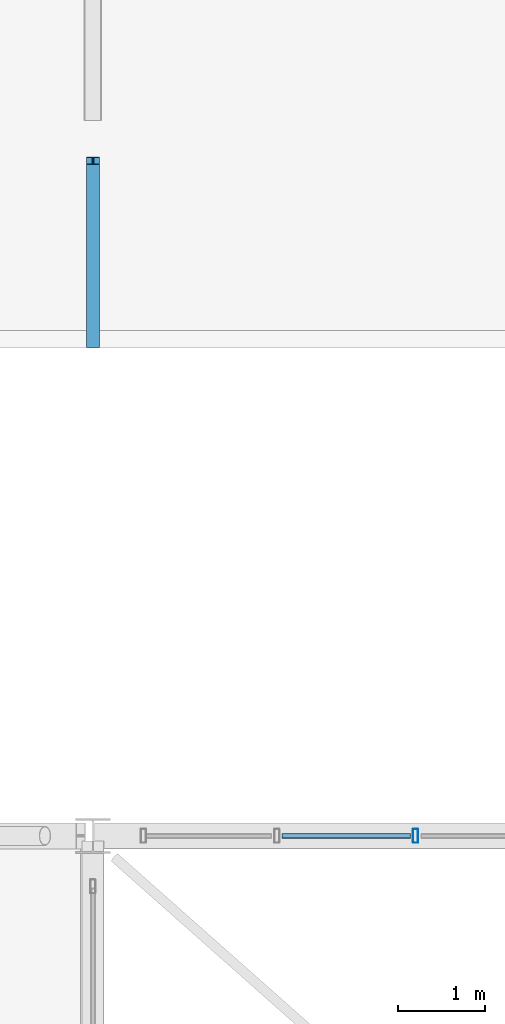
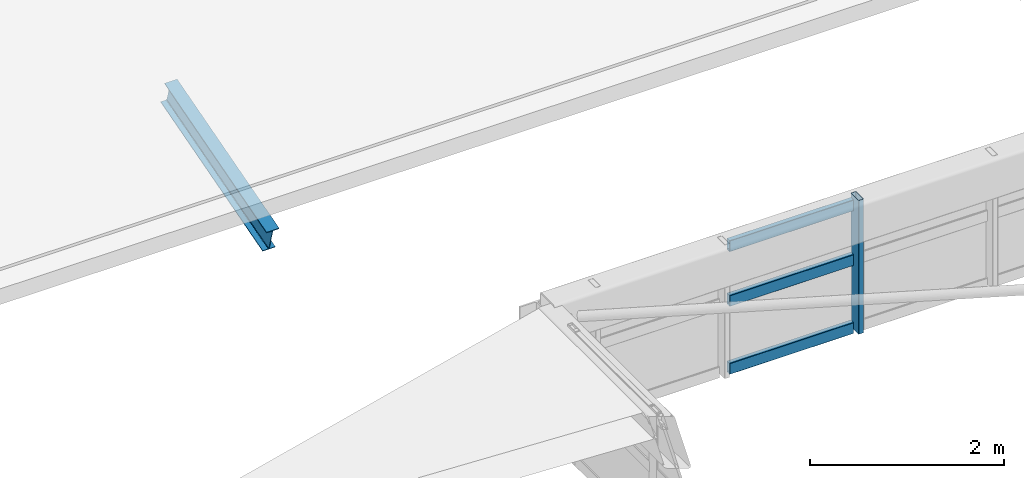
# One storey, part 46 of 128: 4 members, 1 beam, 1 element without a shape of its own.
"""IFC4 building model written with IfcOpenShell, lengths in metres."""

import ifcopenshell
import ifcopenshell.guid

model = None  # the IFC model being written
_history = None  # IfcOwnerHistory: only IFC2X3 demands one
_inside = {}  # id of a spatial element -> (the spatial element, [elements in it])
_under = {}  # id of a project, library or spatial element -> (it, [spatial elements below it])
_declared = {}  # id of a project -> (the project, [libraries it declares])
_typed = {}  # id of a type object -> (the type object, [elements of that type])
_made_of = {}  # id of a material, layer set ... -> (it, [elements and type objects made of it])


def new_model(schema):
    """Start an empty IFC model of exactly this schema.

    Asked for "IFC4X3", IfcOpenShell would pick the latest addendum, in which some entities
    have other attributes; the version numbers below select the first issue.
    IFC2X3 requires an IfcOwnerHistory on every rooted entity: one is made here for all.
    """
    global model, _history
    if schema == "IFC4X3":
        model = ifcopenshell.file(schema_version=(4, 3, 0, 0))
    else:
        model = ifcopenshell.file(schema=schema)
    _inside.clear()
    _under.clear()
    _declared.clear()
    _typed.clear()
    _made_of.clear()
    _history = None
    if model.schema == "IFC2X3":
        org = make("IfcOrganization", Name="unknown")
        user = make(
            "IfcPersonAndOrganization",
            ThePerson=make("IfcPerson", FamilyName="unknown"),
            TheOrganization=org,
        )
        app = make(
            "IfcApplication",
            ApplicationDeveloper=org,
            Version="unknown",
            ApplicationFullName="unknown",
            ApplicationIdentifier="unknown",
        )
        _history = make(
            "IfcOwnerHistory",
            OwningUser=user,
            OwningApplication=app,
            ChangeAction="ADDED",
            CreationDate=0,
        )
    return model


def make(cls, **values):
    """One entity of the class cls with the attributes given. An attribute that is None is left unset."""
    return model.create_entity(
        cls, **{name: value for name, value in values.items() if value is not None}
    )


def rooted(cls, **values):
    """An entity with a GlobalId (a new one), such as an element, a storey or a relation."""
    return make(cls, GlobalId=ifcopenshell.guid.new(), OwnerHistory=_history, **values)


def si_unit(unit_type, name, prefix=None):
    """IfcSIUnit, for example si_unit("LENGTHUNIT", "METRE", prefix="MILLI")."""
    return make("IfcSIUnit", UnitType=unit_type, Prefix=prefix, Name=name)


def derived_unit(unit_type, elements):
    """IfcDerivedUnit: a product of units, each with its exponent."""
    return make(
        "IfcDerivedUnit",
        Elements=[
            make("IfcDerivedUnitElement", Unit=unit, Exponent=power)
            for unit, power in elements
        ],
        UnitType=unit_type,
    )


def assignment(units):
    """IfcUnitAssignment: the units of a project."""
    return None if units is None else make("IfcUnitAssignment", Units=units)


def point(xyz):
    """IfcCartesianPoint."""
    return None if xyz is None else make("IfcCartesianPoint", Coordinates=xyz)


def direction(xyz):
    """IfcDirection."""
    return None if xyz is None else make("IfcDirection", DirectionRatios=xyz)


def frame(location, z_axis=None, x_axis=None):
    """IfcAxis2Placement3D, a coordinate frame: its origin and axes. An axis left out is left unset."""
    return make(
        "IfcAxis2Placement3D",
        Location=point(location),
        Axis=direction(z_axis),
        RefDirection=direction(x_axis),
    )


def frame_2d(location, x_axis=None):
    """IfcAxis2Placement2D, a coordinate frame in the plane: its origin and x axis."""
    return make(
        "IfcAxis2Placement2D", Location=point(location), RefDirection=direction(x_axis)
    )


def origin():
    """The frame at (0, 0, 0) with its axes left unset."""
    return frame((0.0, 0.0, 0.0))


def origin_2d():
    """The frame at (0, 0) in the plane with its x axis left unset."""
    return frame_2d((0.0, 0.0))


def place(relative_to, where):
    """IfcLocalPlacement: puts the frame where relative to a parent placement (None: the world)."""
    return make(
        "IfcLocalPlacement", PlacementRelTo=relative_to, RelativePlacement=where
    )


def context(
    kind, dimensions, precision=None, world=None, true_north=None, identifier=None
):
    """IfcGeometricRepresentationContext, for example the 3D "Model" context."""
    return make(
        "IfcGeometricRepresentationContext",
        ContextIdentifier=identifier,
        ContextType=kind,
        CoordinateSpaceDimension=dimensions,
        Precision=precision,
        WorldCoordinateSystem=world,
        TrueNorth=true_north,
    )


def subcontext(parent, identifier, kind, view, scale=None):
    """IfcGeometricRepresentationSubContext, for example "Body" below "Model"."""
    return make(
        "IfcGeometricRepresentationSubContext",
        ContextIdentifier=identifier,
        ContextType=kind,
        ParentContext=parent,
        TargetScale=scale,
        TargetView=view,
    )


def project(units=None, contexts=None):
    """IfcProject with its units and contexts."""
    return rooted(
        "IfcProject",
        Name="project",
        RepresentationContexts=contexts,
        UnitsInContext=assignment(units),
    )


def spatial(cls, under=None, at=None, **own):
    """A site, building, storey or space (cls), placed at a placement, below another one or the project."""
    s = rooted(cls, ObjectPlacement=at, **own)
    if under is not None:
        _under.setdefault(under.id(), (under, []))[1].append(s)
    return s


def profile(cls, at=None, kind="AREA", **sizes):
    """A parametric profile (cls). Its sizes go by their IFC names, for example OverallWidth=200.0."""
    return make(cls, ProfileType=kind, Position=at, **sizes)


def hollow_rectangle(**sizes):
    """IfcRectangleHollowProfileDef."""
    return profile("IfcRectangleHollowProfileDef", **sizes)


def i_section(**sizes):
    """IfcIShapeProfileDef."""
    return profile("IfcIShapeProfileDef", **sizes)


def extrude(swept, where, along, depth):
    """IfcExtrudedAreaSolid: the profile swept, set in the frame where, extruded along a direction by depth."""
    return make(
        "IfcExtrudedAreaSolid",
        SweptArea=swept,
        Position=where,
        ExtrudedDirection=direction(along),
        Depth=depth,
    )


def shape(context_of_items, identifier, shape_type, items):
    """IfcShapeRepresentation: the items that make up one representation, for example the "Body"."""
    return make(
        "IfcShapeRepresentation",
        ContextOfItems=context_of_items,
        RepresentationIdentifier=identifier,
        RepresentationType=shape_type,
        Items=items,
    )


def material(Name=None, Category=None):
    """IfcMaterial."""
    return make("IfcMaterial", Name=Name, Category=Category)


def material_profile(
    of_material, cross_section, Name=None, Category=None, Priority=None
):
    """IfcMaterialProfile: a cross section and its material."""
    return make(
        "IfcMaterialProfile",
        Name=Name,
        Material=of_material,
        Profile=cross_section,
        Priority=Priority,
        Category=Category,
    )


def profile_set(profiles, Name=None, composite=None):
    """IfcMaterialProfileSet."""
    return make(
        "IfcMaterialProfileSet",
        Name=Name,
        MaterialProfiles=profiles,
        CompositeProfile=composite,
    )


def made_of(thing, what):
    """Note that an element or type object is made of a material, layer set ...; save() writes the relation."""
    if what is not None:
        _made_of.setdefault(what.id(), (what, []))[1].append(thing)
    return thing


def type_object(cls, material=None, **own):
    """A type object (cls), such as IfcWallType, which elements share."""
    return made_of(rooted(cls, **own), material)


def element(
    cls,
    number,
    at=None,
    inside=None,
    cuts=None,
    type_object=None,
    material=None,
    context=None,
    identifier="Body",
    shape_type=None,
    held_by="IfcProductDefinitionShape",
    body=None,
    shapes=None,
    **own,
):
    """One element of the class cls, such as IfcWall. Its Tag is "e" and its number.

    at: its placement. inside: the storey or other place that contains it. cuts: it is an
    opening in that element (IfcRelVoidsElement). A single representation is given by context,
    identifier, shape_type and body (its items); several are given by shapes. held_by: the class
    of the entity that holds the representations. save() writes the other relations.
    """
    e = rooted(cls, Tag="e%d" % number, ObjectPlacement=at, **own)
    if body is not None:
        shapes = [shape(context, identifier, shape_type, body)]
    if shapes is not None:
        e.Representation = make(held_by, Representations=shapes)
    if inside is not None:
        _inside.setdefault(inside.id(), (inside, []))[1].append(e)
    if cuts is not None:
        rooted(
            "IfcRelVoidsElement", RelatingBuildingElement=cuts, RelatedOpeningElement=e
        )
    if type_object is not None:
        _typed.setdefault(type_object.id(), (type_object, []))[1].append(e)
    return made_of(e, material)


def aggregate(whole, parts):
    """IfcRelAggregates: a whole, such as a stair, and the parts it consists of."""
    return rooted("IfcRelAggregates", RelatingObject=whole, RelatedObjects=parts)


def save(model, path):
    """Write the relations noted so far, then the file.

    IfcRelAggregates (storeys below a building ...), IfcRelContainedInSpatialStructure (elements
    in a storey), IfcRelDefinesByType, IfcRelAssociatesMaterial and IfcRelDeclares: one each for
    every whole, place, type object, material and project.
    """
    for whole, parts in _under.values():
        aggregate(whole, parts)
    for where, things in _inside.values():
        rooted(
            "IfcRelContainedInSpatialStructure",
            RelatedElements=things,
            RelatingStructure=where,
        )
    for kind, things in _typed.values():
        rooted("IfcRelDefinesByType", RelatedObjects=things, RelatingType=kind)
    for what, things in _made_of.values():
        rooted("IfcRelAssociatesMaterial", RelatedObjects=things, RelatingMaterial=what)
    for by, libraries in _declared.values():
        rooted("IfcRelDeclares", RelatingContext=by, RelatedDefinitions=libraries)
    model.write(path)


model = new_model("IFC4")

# Units and contexts
model_context = context("Model", 3, precision=1e-05, world=origin(), true_north=direction((0.0, 1.0)))
body_context = subcontext(model_context, "Body", "Model", "MODEL_VIEW")
ifc_project = project(units=[si_unit("LENGTHUNIT", "METRE"), si_unit("AREAUNIT", "SQUARE_METRE"), si_unit("VOLUMEUNIT", "CUBIC_METRE"), si_unit("PLANEANGLEUNIT", "RADIAN"), si_unit("MASSUNIT", "GRAM", prefix="KILO"), derived_unit("THERMALTRANSMITTANCEUNIT", [(si_unit("MASSUNIT", "GRAM", prefix="KILO"), 1), (si_unit("TIMEUNIT", "SECOND"), -3), (si_unit("THERMODYNAMICTEMPERATUREUNIT", "KELVIN"), -1)])], contexts=[model_context])

# Site, building, storey
site_placement = place(None, origin())
site = spatial("IfcSite", under=ifc_project, at=site_placement, CompositionType="ELEMENT")
building_placement = place(site_placement, origin())
building = spatial("IfcBuilding", under=site, at=building_placement, Name="Zhenchuan Archway Interchange", CompositionType="ELEMENT")
storey_placement = place(building_placement, frame((0.0, 0.0, 14.39990234375)))
storey = spatial("IfcBuildingStorey", under=building, at=storey_placement, Name="L03", CompositionType="ELEMENT", Elevation=14.39990234375)

# Beam
ifc_material_1 = material(Name="Steel Q355", Category="steel")
ifc_material_profile_1 = material_profile(ifc_material_1, i_section(OverallWidth=0.14990234375, OverallDepth=0.300048828125, WebThickness=0.006591796875, FlangeThickness=0.009033203125, FilletRadius=0.012939453125, at=origin_2d()), Name="HN 300x150")
ifc_profile_set_1 = profile_set([ifc_material_profile_1], Name="Steel Q355")
beam_type = type_object("IfcBeamType", Name="BM_STL_EAVE_HN300", PredefinedType="BEAM", material=ifc_profile_set_1)
beam_placement = place(storey_placement, frame((27.0, 95.75, -0.3798828125), z_axis=(0.0, -0.961515511102, -0.274750654067), x_axis=(1.0, 0.0, 0.0)))
element("IfcBeam", 1, at=beam_placement, inside=storey, type_object=beam_type, Name="Terminal Wing storm-eave bracket X27-S", PredefinedType="BEAM", context=body_context, shape_type="SweptSolid", body=[
    extrude(i_section(OverallWidth=0.14990234375, OverallDepth=0.300048828125, WebThickness=0.006591796875, FlangeThickness=0.009033203125, FilletRadius=0.012939453125, at=origin_2d()), origin(), (0.0, 0.0, 1.0), 2.18408203125),
])

# Curtain wall, members
ifc_material_2 = material(Name="Anodised Aluminium", Category="aluminium")
curtain_wall_type = type_object("IfcCurtainWallType", Name="CW_UNIT_4", PredefinedType="NOTDEFINED", material=ifc_material_2)
curtain_wall_placement = place(storey_placement, origin())
curtain_wall = element("IfcCurtainWall", 2, at=curtain_wall_placement, inside=storey, type_object=curtain_wall_type, Name="Unitised curtain wall CW:L03:RING-N1", PredefinedType="NOTDEFINED")
ifc_material_profile_2 = material_profile(ifc_material_2, hollow_rectangle(XDim=0.06005859375, YDim=0.159912109375, WallThickness=0.00390625, InnerFilletRadius=0.00390625, OuterFilletRadius=0.008056640625, at=origin_2d()), Name="ALU 160x60x4")
ifc_profile_set_2 = profile_set([ifc_material_profile_2], Name="Anodised Aluminium")
member_type_1 = type_object("IfcMemberType", Name="CW_MUL_150", PredefinedType="MULLION", material=ifc_profile_set_2)
member_1_placement = place(storey_placement, frame((30.7041015625, 88.0, 0.02001953125), z_axis=(0.0, 0.0, 1.0), x_axis=(1.0, 0.0, 0.0)))
member_1 = element("IfcMember", 3, at=member_1_placement, type_object=member_type_1, Name="CW:L03:RING-N1 mullion 2", PredefinedType="MULLION", context=body_context, shape_type="SweptSolid", body=[
    extrude(hollow_rectangle(XDim=0.06005859375, YDim=0.159912109375, WallThickness=0.00390625, InnerFilletRadius=0.00390625, OuterFilletRadius=0.008056640625, at=origin_2d()), origin(), (0.0, 0.0, 1.0), 1.68017578125),
])
ifc_material_profile_3 = material_profile(ifc_material_2, hollow_rectangle(XDim=0.06005859375, YDim=0.139892578125, WallThickness=0.00341796875, InnerFilletRadius=0.00341796875, OuterFilletRadius=0.007080078125, at=origin_2d()), Name="ALU 140x60x3.5")
ifc_profile_set_3 = profile_set([ifc_material_profile_3], Name="Anodised Aluminium")
member_type_2 = type_object("IfcMemberType", Name="CW_TRN_140", PredefinedType="USERDEFINED", material=ifc_profile_set_3)
member_2_placement = place(storey_placement, frame((29.172119140625, 88.0, 0.080078125), z_axis=(1.0, 0.0, 0.0), x_axis=(0.0, 1.0, 0.0)))
member_2 = element("IfcMember", 4, at=member_2_placement, type_object=member_type_2, Name="CW:L03:RING-N1 transom 1-1", ObjectType="TRANSOM", PredefinedType="USERDEFINED", context=body_context, shape_type="SweptSolid", body=[
    extrude(hollow_rectangle(XDim=0.06005859375, YDim=0.139892578125, WallThickness=0.00341796875, InnerFilletRadius=0.00341796875, OuterFilletRadius=0.007080078125, at=origin_2d()), origin(), (0.0, 0.0, 1.0), 1.471923828125),
])
member_3_placement = place(storey_placement, frame((29.172119140625, 88.0, 0.93310546875), z_axis=(1.0, 0.0, 0.0), x_axis=(0.0, 1.0, 0.0)))
member_3 = element("IfcMember", 5, at=member_3_placement, type_object=member_type_2, Name="CW:L03:RING-N1 transom 1-2", ObjectType="TRANSOM", PredefinedType="USERDEFINED", context=body_context, shape_type="SweptSolid", body=[
    extrude(hollow_rectangle(XDim=0.06005859375, YDim=0.139892578125, WallThickness=0.00341796875, InnerFilletRadius=0.00341796875, OuterFilletRadius=0.007080078125, at=origin_2d()), origin(), (0.0, 0.0, 1.0), 1.471923828125),
])
member_4_placement = place(storey_placement, frame((29.172119140625, 88.0, 1.6201171875), z_axis=(1.0, 0.0, 0.0), x_axis=(0.0, 1.0, 0.0)))
member_4 = element("IfcMember", 6, at=member_4_placement, type_object=member_type_2, Name="CW:L03:RING-N1 transom 1-3", ObjectType="TRANSOM", PredefinedType="USERDEFINED", context=body_context, shape_type="SweptSolid", body=[
    extrude(hollow_rectangle(XDim=0.06005859375, YDim=0.139892578125, WallThickness=0.00341796875, InnerFilletRadius=0.00341796875, OuterFilletRadius=0.007080078125, at=origin_2d()), origin(), (0.0, 0.0, 1.0), 1.471923828125),
])
aggregate(curtain_wall, [member_1, member_2, member_3, member_4])

save(model, "model.ifc")
